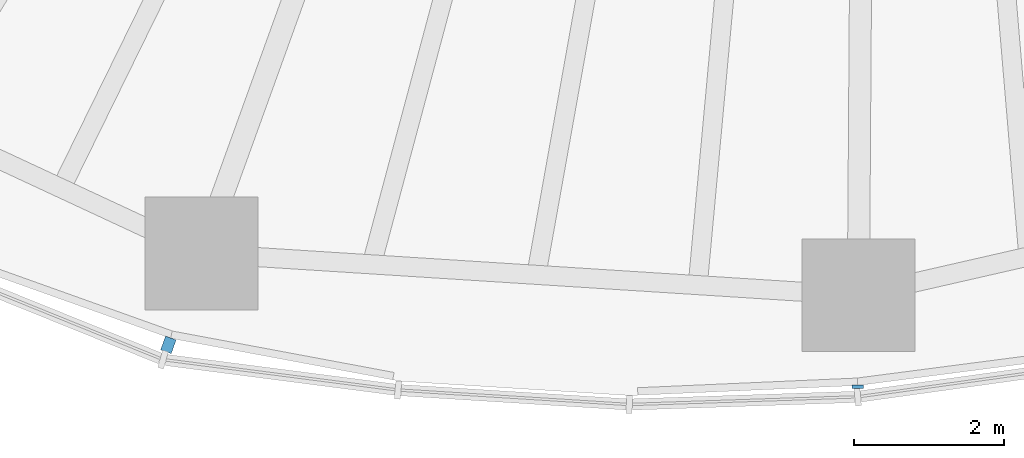
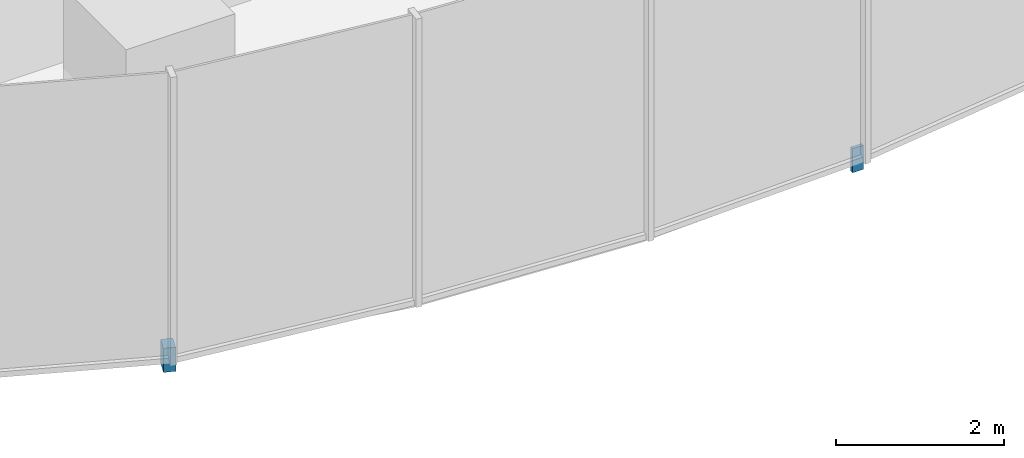
# One storey, part 12 of 18: 2 discrete accessories.
"""IFC4 building model written with IfcOpenShell, lengths in metres."""

from ifc_helpers import new_model, si_unit, direction, frame, origin, origin_2d, place, context, subcontext, project, spatial, rectangle, extrude, material, type_object, element, save


model = new_model("IFC4")

# Units and contexts
model_context = context("Model", 3, precision=1e-05, world=origin(), true_north=direction((0.0, 1.0)))
body_context = subcontext(model_context, "Body", "Model", "MODEL_VIEW")
ifc_project = project(units=[si_unit("LENGTHUNIT", "METRE"), si_unit("AREAUNIT", "SQUARE_METRE"), si_unit("VOLUMEUNIT", "CUBIC_METRE"), si_unit("PLANEANGLEUNIT", "RADIAN"), si_unit("MASSUNIT", "GRAM", prefix="KILO")], contexts=[model_context])

# Site, building, storey
site_placement = place(None, origin())
site = spatial("IfcSite", under=ifc_project, at=site_placement, CompositionType="ELEMENT")
building_placement = place(site_placement, origin())
building = spatial("IfcBuilding", under=site, at=building_placement, Name="Ghaith Harvest Tower", CompositionType="ELEMENT")
storey_placement = place(building_placement, frame((0.0, 0.0, 126.0)))
storey = spatial("IfcBuildingStorey", under=building, at=storey_placement, Name="L26", CompositionType="ELEMENT", Elevation=126.0)

# Discrete accessories
ifc_material_1 = material(Name="Stainless steel grade 1.4401", Category="steel")
discrete_accessory_type_1 = type_object("IfcDiscreteAccessoryType", Name="CURTAIN WALL BRACKET 195", PredefinedType="BRACKET", material=ifc_material_1)
discrete_accessory_1_placement = place(storey_placement, frame((-9.348388671875, -25.883544921875, -0.25), z_axis=(0.0, 0.0, 1.0), x_axis=(-0.33969945263, -0.940534040789, 0.0)))
element("IfcDiscreteAccessory", 1, at=discrete_accessory_1_placement, inside=storey, type_object=discrete_accessory_type_1, Name="CW-L bracket 1 bay 15 L26", PredefinedType="BRACKET", context=body_context, shape_type="SweptSolid", body=[
    extrude(rectangle(XDim=0.195068359375, YDim=0.14990234375, at=origin_2d()), origin(), (0.0, 0.0, 1.0), 0.35009765625),
])
ifc_material_2 = material(Name="Stainless steel grade 1.4401", Category="steel")
discrete_accessory_type_2 = type_object("IfcDiscreteAccessoryType", Name="CURTAIN WALL BRACKET 45", PredefinedType="BRACKET", material=ifc_material_2)
discrete_accessory_2_placement = place(storey_placement, frame((-0.180908203125, -26.441162109375, -0.25), z_axis=(0.0, 0.0, 1.0), x_axis=(-0.006843747957, -0.999976581283, 0.0)))
element("IfcDiscreteAccessory", 2, at=discrete_accessory_2_placement, inside=storey, type_object=discrete_accessory_type_2, Name="CW-L bracket 1 bay 16 L26", PredefinedType="BRACKET", context=body_context, shape_type="SweptSolid", body=[
    extrude(rectangle(XDim=0.044921875, YDim=0.14990234375, at=origin_2d()), origin(), (0.0, 0.0, 1.0), 0.35009765625),
])

save(model, "model.ifc")
